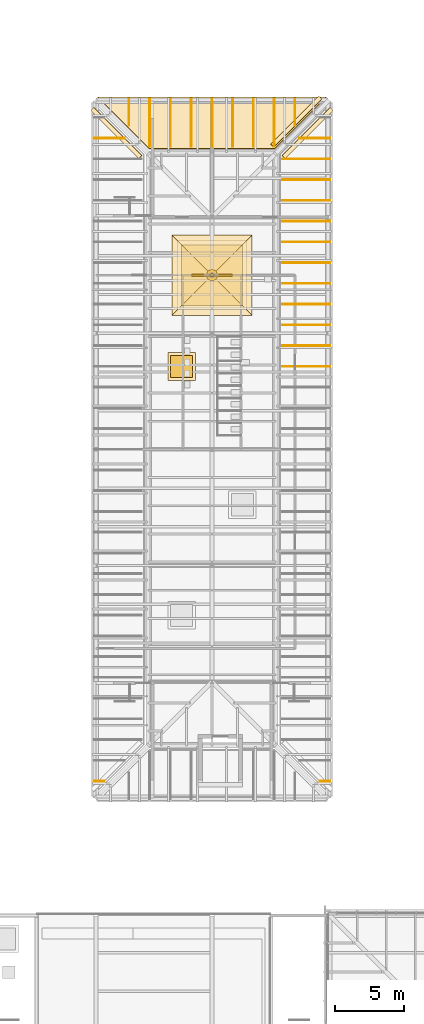
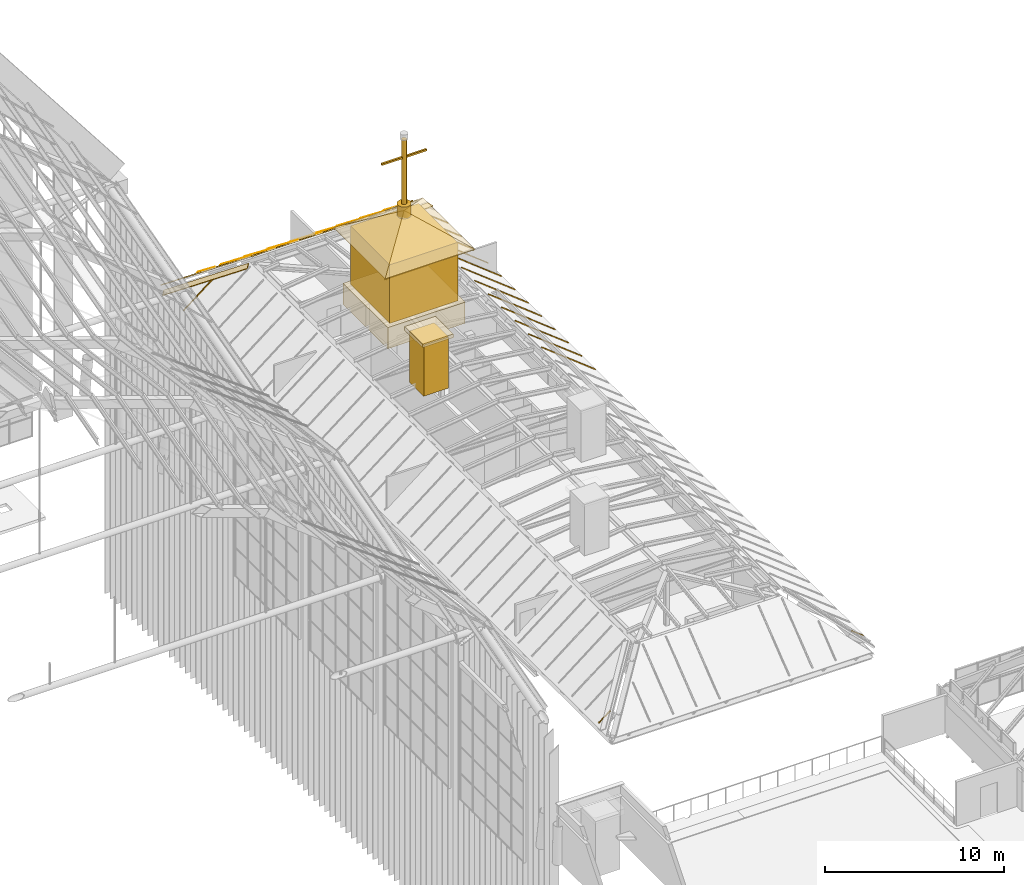
# One storey, part 122 of 126: 40 coverings.
"""IFC4 building model written with IfcOpenShell, lengths in metres."""

from ifc_helpers import new_model, si_unit, direction, frame, origin, origin_2d, place, context, subcontext, project, spatial, polyline, rectangle, circle, outline, extrude, material, layer, layer_set, type_object, element, save


model = new_model("IFC4")

# Units and contexts
model_context = context("Model", 3, precision=1e-05, world=origin(), true_north=direction((0.0, 1.0)))
body_context = subcontext(model_context, "Body", "Model", "MODEL_VIEW")
ifc_project = project(units=[si_unit("LENGTHUNIT", "METRE"), si_unit("AREAUNIT", "SQUARE_METRE"), si_unit("VOLUMEUNIT", "CUBIC_METRE"), si_unit("PLANEANGLEUNIT", "RADIAN"), si_unit("MASSUNIT", "GRAM", prefix="KILO")], contexts=[model_context])

# Site, building, storey
site_placement = place(None, origin())
site = spatial("IfcSite", under=ifc_project, at=site_placement, CompositionType="ELEMENT")
building_placement = place(site_placement, origin())
building = spatial("IfcBuilding", under=site, at=building_placement, Name="Sava Quay Ferry Terminal", CompositionType="ELEMENT")
storey_placement = place(building_placement, frame((0.0, 0.0, 15.0)))
storey = spatial("IfcBuildingStorey", under=building, at=storey_placement, Name="L03", CompositionType="ELEMENT", Elevation=15.0)

# Coverings
ifc_material_1 = material(Name="Limestone Mutalj", Category="masonry")
ifc_layer_1 = layer(ifc_material_1, 0.25)
ifc_layer_set_1 = layer_set([ifc_layer_1], Name="Limestone Mutalj")
covering_type_1 = type_object("IfcCoveringType", Name="Chimney cap 2000", PredefinedType="MOLDING", material=ifc_layer_set_1)
covering_1_placement = place(storey_placement, frame((98.60009765625, 90.0, 6.800048828125), z_axis=(0.0, 0.0, 1.0), x_axis=(1.0, 0.0, 0.0)))
element("IfcCovering", 1, at=covering_1_placement, inside=storey, type_object=covering_type_1, Name="Chimney cap", PredefinedType="MOLDING", context=body_context, shape_type="SweptSolid", body=[
    extrude(rectangle(XDim=2.0, YDim=2.0, at=origin_2d()), origin(), (0.0, 0.0, 1.0), 0.25),
])
ifc_material_2 = material(Name="Masonry blockwork", Category="masonry")
ifc_layer_2 = layer(ifc_material_2, 1.60009765625)
ifc_layer_set_2 = layer_set([ifc_layer_2], Name="Masonry blockwork")
covering_type_2 = type_object("IfcCoveringType", Name="Chimney stack 1600", PredefinedType="CLADDING", material=ifc_layer_set_2)
covering_2_placement = place(storey_placement, frame((98.60009765625, 90.0, 3.300048828125), z_axis=(0.0, 0.0, 1.0), x_axis=(1.0, 0.0, 0.0)))
element("IfcCovering", 2, at=covering_2_placement, inside=storey, type_object=covering_type_2, Name="Chimney stack", PredefinedType="CLADDING", context=body_context, shape_type="SweptSolid", body=[
    extrude(rectangle(XDim=1.60009765625, YDim=1.60009765625, at=origin_2d()), origin(), (0.0, 0.0, 1.0), 3.5),
])
ifc_material_3 = material(Name="Zinc standing seam")
ifc_layer_3 = layer(ifc_material_3, 0.06005859375)
ifc_layer_set_3 = layer_set([ifc_layer_3], Name="Zinc standing seam")
covering_type_3 = type_object("IfcCoveringType", Name="Roof ridge roll 300", PredefinedType="ROOFING", material=ifc_layer_set_3)
covering_3_placement = place(storey_placement, frame((105.8701171875, 105.25146484375, 3.3984375), z_axis=(0.6178826898, -9.4942194e-05, 0.786270292349), x_axis=(0.618097589996, 0.61814098531, -0.485651203562)))
element("IfcCovering", 3, at=covering_3_placement, inside=storey, type_object=covering_type_3, Name="Hip roll", PredefinedType="ROOFING", context=body_context, shape_type="SweptSolid", body=[
    extrude(outline(polyline([(0.0, 0.0), (5.625802438508266, 0.0), (5.706623708166371, -0.3337644263416948), (0.08097218298459713, -0.33357251539327026), (0.0, 0.0)])), origin(), (0.0, 0.0, -1.0), 0.06005859375),
])
covering_4_placement = place(storey_placement, frame((108.72900390625, 109.347412109375, 0.666259765625), z_axis=(-9.4942194e-05, 0.6178826898, 0.786270292349), x_axis=(-0.61814098531, -0.618097589996, 0.485651203562)))
element("IfcCovering", 4, at=covering_4_placement, inside=storey, type_object=covering_type_3, Name="Hip roll", PredefinedType="ROOFING", context=body_context, shape_type="SweptSolid", body=[
    extrude(outline(polyline([(0.0, 0.0), (5.625802438508266, 0.0), (5.544830255523669, -0.3335725153932704), (-0.08082126965810543, -0.3337644263416951), (0.0, 0.0)])), origin(), (0.0, 0.0, -1.0), 0.06005859375),
])
covering_5_placement = place(storey_placement, frame((92.25244140625, 108.72900390625, 0.666259765625), z_axis=(-0.617869275287, -0.000116627127, 0.786280830909), x_axis=(0.618124406362, -0.618124404798, 0.485638176478)))
element("IfcCovering", 5, at=covering_5_placement, inside=storey, type_object=covering_type_3, Name="Hip roll", PredefinedType="ROOFING", context=body_context, shape_type="SweptSolid", body=[
    extrude(outline(polyline([(0.0, 0.0), (5.625953344513379, 4.440892098500626e-16), (5.54497412676592, -0.3335708076797097), (-0.08082830846894379, -0.33376272181056743), (0.0, 0.0)])), origin(), (0.0, 0.0, -1.0), 0.06005859375),
])
ifc_material_4 = material(Name="Zinc standing seam")
ifc_layer_4 = layer(ifc_material_4, 0.0400390625)
ifc_layer_set_4 = layer_set([ifc_layer_4], Name="Zinc standing seam")
covering_type_4 = type_object("IfcCoveringType", Name="Roof seam rib 60", PredefinedType="ROOFING", material=ifc_layer_set_4)
covering_6_placement = place(storey_placement, frame((109.353515625, 106.469970703125, 0.635986328125), z_axis=(0.617851899682, 0.0, 0.786294493214), x_axis=(-0.786294493214, 0.0, 0.617851899682)))
element("IfcCovering", 6, at=covering_6_placement, inside=storey, type_object=covering_type_4, Name="Roof seam rib", PredefinedType="ROOFING", context=body_context, shape_type="SweptSolid", body=[
    extrude(outline(polyline([(0.0, 0.0), (2.842272584301161, 0.0), (2.842272584301161, -0.06005859375), (0.0, -0.06005859375), (0.0, 0.0)])), origin(), (0.0, 0.0, -1.0), 0.0400390625),
])
for number, where, z_axis, x_axis, name in (
    (7, (109.353515625, 104.969970703125, 0.635986328125), (0.617816621885, 0.0, 0.786322212406), (-0.786322212406, 0.0, 0.617816621885), "Roof seam rib"),
    (8, (109.353515625, 103.469970703125, 0.635986328125), (0.617816621885, 0.0, 0.786322212406), (-0.786322212406, 0.0, 0.617816621885), "Roof seam rib"),
    (9, (109.353515625, 101.969970703125, 0.635986328125), (0.617816621885, 0.0, 0.786322212406), (-0.786322212406, 0.0, 0.617816621885), "Roof seam rib"),
    (10, (109.353515625, 100.469970703125, 0.635986328125), (0.617816621885, 0.0, 0.786322212406), (-0.786322212406, 0.0, 0.617816621885), "Roof seam rib"),
    (11, (109.353515625, 98.969970703125, 0.635986328125), (0.617816621885, 0.0, 0.786322212406), (-0.786322212406, 0.0, 0.617816621885), "Roof seam rib"),
    (12, (109.353515625, 97.469970703125, 0.635986328125), (0.617816621885, 0.0, 0.786322212406), (-0.786322212406, 0.0, 0.617816621885), "Roof seam rib"),
    (13, (109.353515625, 95.969970703125, 0.635986328125), (0.617816621885, 0.0, 0.786322212406), (-0.786322212406, 0.0, 0.617816621885), "Roof seam rib"),
    (14, (109.353515625, 94.469970703125, 0.635986328125), (0.617816621885, 0.0, 0.786322212406), (-0.786322212406, 0.0, 0.617816621885), "Roof seam rib"),
    (15, (109.353515625, 92.969970703125, 0.635986328125), (0.617816621885, 0.0, 0.786322212406), (-0.786322212406, 0.0, 0.617816621885), "Roof seam rib"),
    (16, (109.353515625, 91.469970703125, 0.635986328125), (0.617816621885, 0.0, 0.786322212406), (-0.786322212406, 0.0, 0.617816621885), "Roof seam rib"),
    (17, (109.353515625, 89.969970703125, 0.635986328125), (0.617816621885, 0.0, 0.786322212406), (-0.786322212406, 0.0, 0.617816621885), "Roof seam rib"),
):
    element("IfcCovering", number, at=place(storey_placement, frame(where, z_axis=z_axis, x_axis=x_axis)), inside=storey, type_object=covering_type_4, Name=name, PredefinedType="ROOFING", context=body_context, shape_type="SweptSolid", body=[
        extrude(outline(polyline([(0.0, 0.0), (4.374101444340009, 0.0), (4.374101444340009, -0.060058593750000014), (0.0, -0.060058593750000014), (0.0, 0.0)])), origin(), (0.0, 0.0, -1.0), 0.0400390625),
    ])
covering_7_placement = place(storey_placement, frame((109.353515625, 59.969970703125, 0.635986328125), z_axis=(0.617821551932, 0.0, 0.786318338822), x_axis=(-0.786318338822, 0.0, 0.617821551932)))
element("IfcCovering", 18, at=covering_7_placement, inside=storey, type_object=covering_type_4, Name="Roof seam rib", PredefinedType="ROOFING", context=body_context, shape_type="SweptSolid", body=[
    extrude(outline(polyline([(0.0, 0.0), (0.9345620532652452, 0.0), (0.9345620532652452, -0.06005859375), (0.0, -0.06005859375), (0.0, 0.0)])), origin(), (0.0, 0.0, -1.0), 0.0400390625),
])
covering_8_placement = place(storey_placement, frame((94.830078125, 109.353515625, 0.635986328125), z_axis=(0.0, 0.617834697538, 0.786308009954), x_axis=(0.0, -0.786308009954, 0.617834697538)))
element("IfcCovering", 19, at=covering_8_placement, inside=storey, type_object=covering_type_4, Name="Roof seam rib", PredefinedType="ROOFING", context=body_context, shape_type="SweptSolid", body=[
    extrude(outline(polyline([(0.0, 0.0), (2.460631748158235, 0.0), (2.460631748158235, -0.06005859375), (0.0, -0.06005859375), (0.0, 0.0)])), origin(), (0.0, 0.0, -1.0), 0.0400390625),
])
covering_9_placement = place(storey_placement, frame((96.330078125, 109.353515625, 0.635986328125), z_axis=(0.0, 0.617848702502, 0.786297005473), x_axis=(0.0, -0.786297005473, 0.617848702502)))
element("IfcCovering", 20, at=covering_9_placement, inside=storey, type_object=covering_type_4, Name="Roof seam rib", PredefinedType="ROOFING", context=body_context, shape_type="SweptSolid", body=[
    extrude(outline(polyline([(0.0, 0.0), (4.368342279337475, 0.0), (4.368342279337475, -0.06005859375), (0.0, -0.06005859375), (0.0, 0.0)])), origin(), (0.0, 0.0, -1.0), 0.0400390625),
])
for number, where, z_axis, x_axis, name in (
    (21, (97.830078125, 109.353515625, 0.635986328125), (0.0, 0.617816621885, 0.786322212406), (0.0, -0.786322212406, 0.617816621885), "Roof seam rib"),
    (22, (99.330078125, 109.353515625, 0.635986328125), (0.0, 0.617816621885, 0.786322212406), (0.0, -0.786322212406, 0.617816621885), "Roof seam rib"),
    (23, (100.830078125, 109.353515625, 0.635986328125), (0.0, 0.617816621885, 0.786322212406), (0.0, -0.786322212406, 0.617816621885), "Roof seam rib"),
    (24, (102.330078125, 109.353515625, 0.635986328125), (0.0, 0.617816621885, 0.786322212406), (0.0, -0.786322212406, 0.617816621885), "Roof seam rib"),
    (25, (103.830078125, 109.353515625, 0.635986328125), (0.0, 0.617816621885, 0.786322212406), (0.0, -0.786322212406, 0.617816621885), "Roof seam rib"),
):
    element("IfcCovering", number, at=place(storey_placement, frame(where, z_axis=z_axis, x_axis=x_axis)), inside=storey, type_object=covering_type_4, Name=name, PredefinedType="ROOFING", context=body_context, shape_type="SweptSolid", body=[
        extrude(outline(polyline([(0.0, 0.0), (4.374101444340009, 0.0), (4.374101444340009, -0.060058593750000014), (0.0, -0.060058593750000014), (0.0, 0.0)])), origin(), (0.0, 0.0, -1.0), 0.0400390625),
    ])
covering_10_placement = place(storey_placement, frame((105.330078125, 109.353515625, 0.635986328125), z_axis=(0.0, 0.617848702502, 0.786297005473), x_axis=(0.0, -0.786297005473, 0.617848702502)))
element("IfcCovering", 26, at=covering_10_placement, inside=storey, type_object=covering_type_4, Name="Roof seam rib", PredefinedType="ROOFING", context=body_context, shape_type="SweptSolid", body=[
    extrude(outline(polyline([(0.0, 0.0), (4.368342279337475, 0.0), (4.368342279337475, -0.06005859375), (0.0, -0.06005859375), (0.0, 0.0)])), origin(), (0.0, 0.0, -1.0), 0.0400390625),
])
covering_11_placement = place(storey_placement, frame((106.830078125, 109.353515625, 0.635986328125), z_axis=(0.0, 0.617834697538, 0.786308009954), x_axis=(0.0, -0.786308009954, 0.617834697538)))
element("IfcCovering", 27, at=covering_11_placement, inside=storey, type_object=covering_type_4, Name="Roof seam rib", PredefinedType="ROOFING", context=body_context, shape_type="SweptSolid", body=[
    extrude(outline(polyline([(0.0, 0.0), (2.460631748158235, 0.0), (2.460631748158235, -0.06005859375), (0.0, -0.06005859375), (0.0, 0.0)])), origin(), (0.0, 0.0, -1.0), 0.0400390625),
])
covering_12_placement = place(storey_placement, frame((92.246337890625, 60.030029296875, 0.635986328125), z_axis=(-0.617694660677, 0.0, 0.786418022537), x_axis=(0.786418022537, 0.0, 0.617694660677)))
element("IfcCovering", 28, at=covering_12_placement, inside=storey, type_object=covering_type_4, Name="Roof seam rib", PredefinedType="ROOFING", context=body_context, shape_type="SweptSolid", body=[
    extrude(outline(polyline([(0.0, 0.0), (0.9347540376856062, 0.0), (0.9347540376856062, -0.06005859375), (0.0, -0.06005859375), (0.0, 0.0)])), origin(), (0.0, 0.0, -1.0), 0.0400390625),
])
covering_13_placement = place(storey_placement, frame((92.246337890625, 106.530029296875, 0.635986328125), z_axis=(-0.617810172057, 0.0, 0.78632728002), x_axis=(0.78632728002, 0.0, 0.617810172057)))
element("IfcCovering", 29, at=covering_13_placement, inside=storey, type_object=covering_type_4, Name="Roof seam rib", PredefinedType="ROOFING", context=body_context, shape_type="SweptSolid", body=[
    extrude(outline(polyline([(0.0, 0.0), (2.8424645547325995, 0.0), (2.8424645547325995, -0.06005859375), (0.0, -0.06005859375), (0.0, 0.0)])), origin(), (0.0, 0.0, -1.0), 0.0400390625),
])
ifc_material_5 = material(Name="Steel S355", Category="steel")
ifc_layer_5 = layer(ifc_material_5, 0.300048828125)
ifc_layer_set_5 = layer_set([ifc_layer_5], Name="Steel S355")
covering_type_5 = type_object("IfcCoveringType", Name="Signal mast 300", PredefinedType="CLADDING", material=ifc_layer_set_5)
covering_14_placement = place(storey_placement, frame((100.800048828125, 96.60009765625, 15.37060546875), z_axis=(0.0, 0.0, -1.0), x_axis=(1.0, 0.0, 0.0)))
element("IfcCovering", 30, at=covering_14_placement, inside=storey, type_object=covering_type_5, Name="Signal mast", PredefinedType="CLADDING", context=body_context, shape_type="SweptSolid", body=[
    extrude(circle(Radius=0.14990234375, at=origin_2d()), origin(), (0.0, 0.0, 1.0), 5.199951171875),
])
ifc_material_6 = material(Name="Steel S355", Category="steel")
ifc_layer_6 = layer(ifc_material_6, 0.800048828125)
ifc_layer_set_6 = layer_set([ifc_layer_6], Name="Steel S355")
covering_type_6 = type_object("IfcCoveringType", Name="Signal mast collar 800", PredefinedType="MOLDING", material=ifc_layer_set_6)
covering_15_placement = place(storey_placement, frame((100.800048828125, 96.60009765625, 10.970703125), z_axis=(0.0, 0.0, -1.0), x_axis=(1.0, 0.0, 0.0)))
element("IfcCovering", 31, at=covering_15_placement, inside=storey, type_object=covering_type_6, Name="Signal mast collar", PredefinedType="MOLDING", context=body_context, shape_type="SweptSolid", body=[
    extrude(circle(Radius=0.39990234375, at=origin_2d()), origin(), (0.0, 0.0, 1.0), 0.800048828125),
])
ifc_material_7 = material(Name="Steel S355", Category="steel")
ifc_layer_7 = layer(ifc_material_7, 0.1201171875)
ifc_layer_set_7 = layer_set([ifc_layer_7], Name="Steel S355")
covering_type_7 = type_object("IfcCoveringType", Name="Signal yardarm 120", PredefinedType="CLADDING", material=ifc_layer_set_7)
for number, where, z_axis, x_axis, name in (
    (32, (100.014892578125, 96.60009765625, 14.070556640625), (0.0, 0.0, 1.0), (1.0, 0.0, 0.0), "Signal yardarm"),
    (33, (101.5849609375, 96.60009765625, 14.070556640625), (0.0, 0.0, 1.0), (1.0, 0.0, 0.0), "Signal yardarm"),
):
    element("IfcCovering", number, at=place(storey_placement, frame(where, z_axis=z_axis, x_axis=x_axis)), inside=storey, type_object=covering_type_7, Name=name, PredefinedType="CLADDING", context=body_context, shape_type="SweptSolid", body=[
        extrude(rectangle(XDim=1.330078125, YDim=0.1201171875, at=origin_2d()), origin(), (0.0, 0.0, 1.0), 0.1201171875),
    ])
ifc_material_8 = material(Name="Zinc standing seam sheet")
ifc_layer_8 = layer(ifc_material_8, 0.0400390625)
ifc_layer_set_8 = layer_set([ifc_layer_8], Name="Zinc standing seam sheet")
covering_type_8 = type_object("IfcCoveringType", Name="Standing seam roofing 40", PredefinedType="ROOFING", material=ifc_layer_set_8)
covering_16_placement = place(storey_placement, frame((109.09716796875, 109.503662109375, 0.46728515625), z_axis=(0.0, 0.617803414871, 0.786332589032), x_axis=(-0.618122021932, -0.618122021932, 0.485644244284)))
element("IfcCovering", 34, at=covering_16_placement, inside=storey, type_object=covering_type_8, Name="Mansard roofing O-L2", PredefinedType="ROOFING", context=body_context, shape_type="SweptSolid", body=[
    extrude(outline(polyline([(0.0, 0.0), (6.0501744980119545, -2.220446049250313e-16), (11.684350691570389, -7.1651312334590935), (10.257264118820594, -13.044434711081145), (0.0, 0.0)])), origin(), (0.0, 0.0, -1.0), 0.0400390625),
])
ifc_material_9 = material(Name="Limestone Mutalj", Category="masonry")
ifc_layer_9 = layer(ifc_material_9, 0.800048828125)
ifc_layer_set_9 = layer_set([ifc_layer_9], Name="Limestone Mutalj")
covering_type_9 = type_object("IfcCoveringType", Name="Watch room base 800", PredefinedType="CLADDING", material=ifc_layer_set_9)
covering_17_placement = place(storey_placement, frame((100.800048828125, 96.60009765625, 3.39990234375), z_axis=(0.0, 0.0, 1.0), x_axis=(1.0, 0.0, 0.0)))
element("IfcCovering", 35, at=covering_17_placement, inside=storey, type_object=covering_type_9, Name="Watch room base", PredefinedType="CLADDING", context=body_context, shape_type="SweptSolid", body=[
    extrude(rectangle(XDim=5.0, YDim=5.0, at=origin_2d()), origin(), (0.0, 0.0, 1.0), 1.449951171875),
])
ifc_material_10 = material(Name="Zinc standing seam sheet")
ifc_layer_10 = layer(ifc_material_10, 0.14990234375)
ifc_layer_set_10 = layer_set([ifc_layer_10], Name="Zinc standing seam sheet")
covering_type_10 = type_object("IfcCoveringType", Name="Watch room hipped roof 150", PredefinedType="ROOFING", material=ifc_layer_set_10)
covering_18_placement = place(storey_placement, frame((97.89990234375, 93.699951171875, 8.57080078125), z_axis=(0.0, -0.547987181573, 0.836486729621), x_axis=(1.0, 0.0, 0.0)))
element("IfcCovering", 36, at=covering_18_placement, inside=storey, type_object=covering_type_10, Name="Watch room roof", PredefinedType="ROOFING", context=body_context, shape_type="SweptSolid", body=[
    extrude(outline(polyline([(0.0, 0.0), (5.800048828125, 0.0), (2.900146484375, 3.4670561787515672), (0.0, 0.0)])), origin(), (0.0, 0.0, -1.0), 0.14990234375),
])
covering_19_placement = place(storey_placement, frame((103.699951171875, 93.699951171875, 8.57080078125), z_axis=(0.548019461216, 0.0, 0.836465582154), x_axis=(0.0, 1.0, 0.0)))
element("IfcCovering", 37, at=covering_19_placement, inside=storey, type_object=covering_type_10, Name="Watch room roof", PredefinedType="ROOFING", context=body_context, shape_type="SweptSolid", body=[
    extrude(outline(polyline([(0.0, 0.0), (5.800048828125, 0.0), (2.900146484375, 3.466851960939995), (0.0, 0.0)])), origin(), (0.0, 0.0, -1.0), 0.14990234375),
])
covering_20_placement = place(storey_placement, frame((103.699951171875, 99.5, 8.57080078125), z_axis=(0.0, 0.548019461216, 0.836465582154), x_axis=(-1.0, 0.0, 0.0)))
element("IfcCovering", 38, at=covering_20_placement, inside=storey, type_object=covering_type_10, Name="Watch room roof", PredefinedType="ROOFING", context=body_context, shape_type="SweptSolid", body=[
    extrude(outline(polyline([(0.0, 0.0), (5.800048828125, 0.0), (2.89990234375, 3.466851960939995), (0.0, 0.0)])), origin(), (0.0, 0.0, -1.0), 0.14990234375),
])
covering_21_placement = place(storey_placement, frame((97.89990234375, 99.5, 8.57080078125), z_axis=(-0.547987181573, 0.0, 0.836486729621), x_axis=(0.0, -1.0, 0.0)))
element("IfcCovering", 39, at=covering_21_placement, inside=storey, type_object=covering_type_10, Name="Watch room roof", PredefinedType="ROOFING", context=body_context, shape_type="SweptSolid", body=[
    extrude(outline(polyline([(0.0, 0.0), (5.800048828125, 0.0), (2.89990234375, 3.4670561787515672), (0.0, 0.0)])), origin(), (0.0, 0.0, -1.0), 0.14990234375),
])
ifc_material_11 = material(Name="Limestone Mutalj", Category="masonry")
ifc_layer_11 = layer(ifc_material_11, 4.0)
ifc_layer_set_11 = layer_set([ifc_layer_11], Name="Limestone Mutalj")
covering_type_11 = type_object("IfcCoveringType", Name="Watch room lantern body", PredefinedType="CLADDING", material=ifc_layer_set_11)
covering_22_placement = place(storey_placement, frame((100.800048828125, 96.60009765625, 4.85009765625), z_axis=(0.0, 0.0, 1.0), x_axis=(1.0, 0.0, 0.0)))
element("IfcCovering", 40, at=covering_22_placement, inside=storey, type_object=covering_type_11, Name="Watch room lantern", PredefinedType="CLADDING", context=body_context, shape_type="SweptSolid", body=[
    extrude(rectangle(XDim=4.39990234375, YDim=4.39990234375, at=origin_2d()), origin(), (0.0, 0.0, 1.0), 4.0),
])

save(model, "model.ifc")
